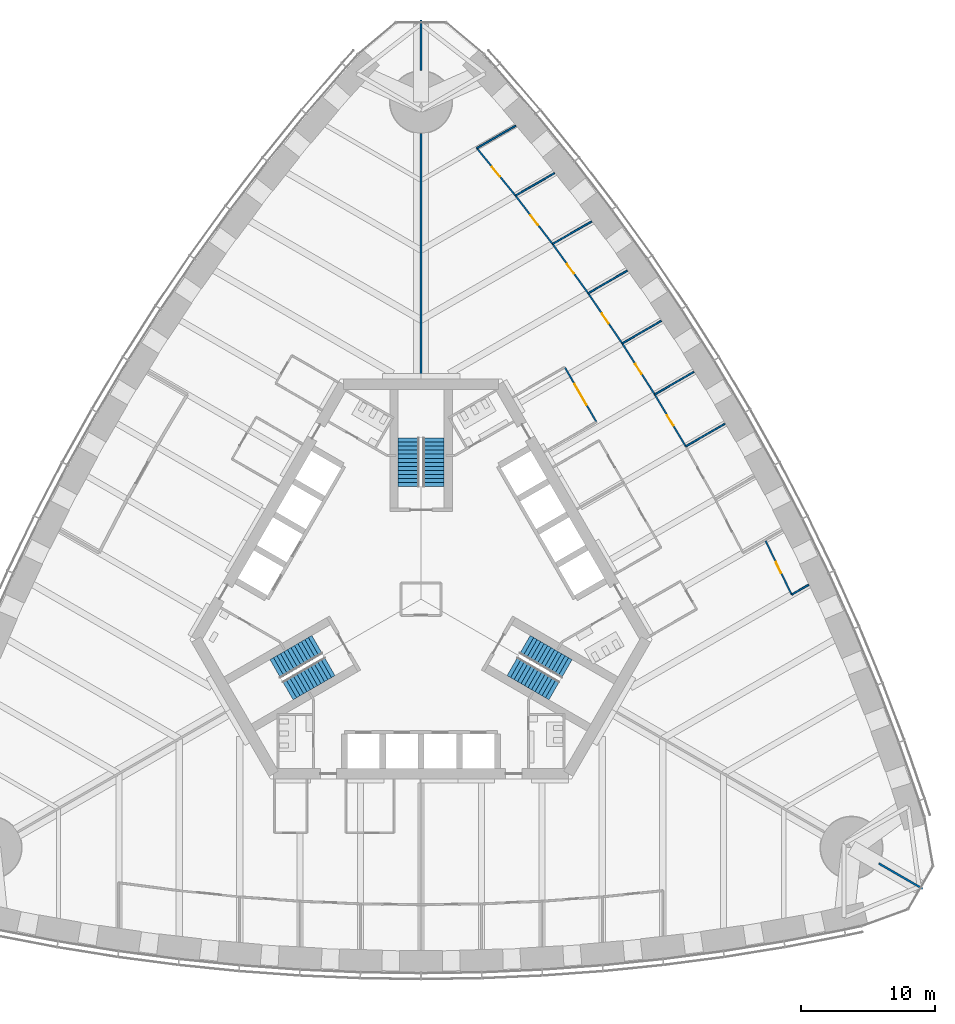
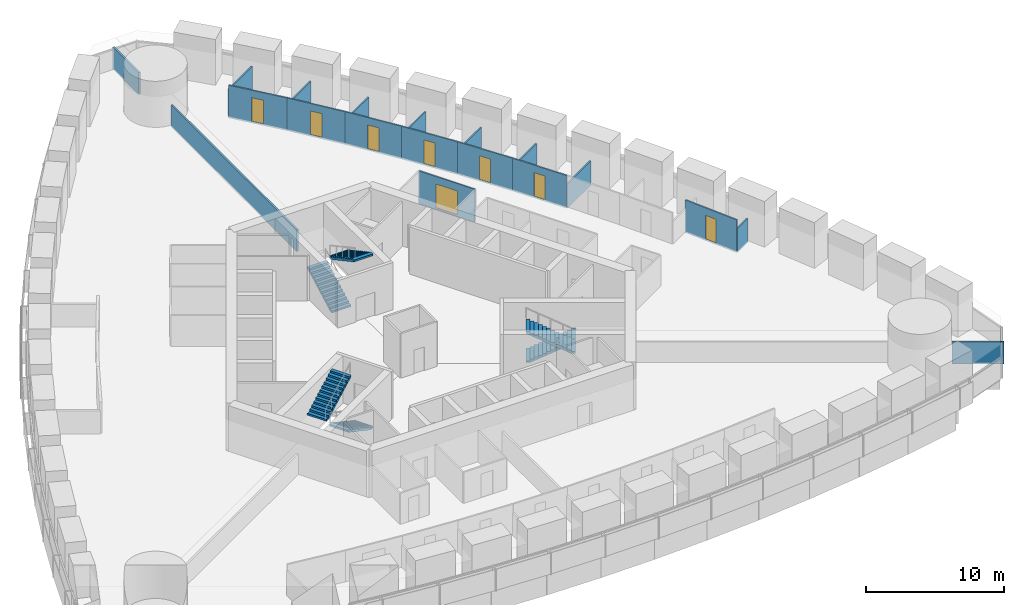
# One storey, part 13 of 18: 19 walls, 8 doors, 6 stair flights, 8 openings, 3 elements without a shape of their own.
"""IFC4 building model written with IfcOpenShell, lengths in metres."""

from ifc_helpers import new_model, si_unit, direction, frame, frame_2d, origin, place, context, subcontext, project, spatial, polyline, rectangle, outline, extrude, material, layer, layer_set, type_object, element, fill, aggregate, save


model = new_model("IFC4")

# Units and contexts
model_context = context("Model", 3, precision=1e-05, world=origin(), true_north=direction((0.0, 1.0)))
body_context = subcontext(model_context, "Body", "Model", "MODEL_VIEW")
ifc_project = project(units=[si_unit("LENGTHUNIT", "METRE"), si_unit("AREAUNIT", "SQUARE_METRE"), si_unit("VOLUMEUNIT", "CUBIC_METRE"), si_unit("PLANEANGLEUNIT", "RADIAN"), si_unit("MASSUNIT", "GRAM", prefix="KILO")], contexts=[model_context])

# Site, building, storey
site_placement = place(None, origin())
site = spatial("IfcSite", under=ifc_project, at=site_placement, CompositionType="ELEMENT")
building_placement = place(site_placement, origin())
building = spatial("IfcBuilding", under=site, at=building_placement, Name="Trefoil Bronze Tower", CompositionType="ELEMENT")
storey_placement = place(building_placement, frame((0.0, 0.0, 87.89990234375)))
storey = spatial("IfcBuildingStorey", under=building, at=storey_placement, Name="L20", CompositionType="ELEMENT", Elevation=87.89990234375)

# Wall, opening, door
ifc_material_1 = material(Name="Glazed partition", Category="glass")
ifc_layer_1 = layer(ifc_material_1, 0.1201171875)
ifc_layer_set_1 = layer_set([ifc_layer_1], Name="Glazed partition 120")
wall_type_1 = type_object("IfcWallType", Name="Glazed partition 120", PredefinedType="PARTITIONING", material=ifc_layer_set_1)
wall_1_placement = place(storey_placement, frame((13.0517578125, 13.193603515625, 0.0), z_axis=(0.0, 0.0, 1.0), x_axis=(-0.499977259774, 0.866038532462, 0.0)))
wall_1 = element("IfcWall", 1, at=wall_1_placement, inside=storey, type_object=wall_type_1, Name="Partition F2 L20", PredefinedType="PARTITIONING", context=body_context, shape_type="SweptSolid", body=[
    extrude(rectangle(XDim=4.699951171875, YDim=0.1201171875, at=frame_2d((2.35009765625, 0.0))), origin(), (0.0, 0.0, 1.0), 2.900146484375),
])
opening_1_placement = place(wall_1_placement, frame((1.449951171875, 0.0, 0.14990234375)))
opening_1 = element("IfcOpeningElement", 2, at=opening_1_placement, cuts=wall_1, Name="Opening D10", PredefinedType="OPENING", context=body_context, shape_type="SweptSolid", body=[
    extrude(rectangle(XDim=1.800048828125, YDim=2.10009765625, at=frame_2d((0.89990234375, 1.050048828125))), frame((0.0, 0.070068359375, 0.0), z_axis=(0.0, -1.0, 0.0), x_axis=(1.0, 0.0, 0.0)), (0.0, 0.0, 1.0), 0.14013671875),
])
ifc_material_2 = material(Name="Timber door", Category="wood")
door_type_1 = type_object("IfcDoorType", Name="Double door 1800", OperationType="DOUBLE_DOOR_SINGLE_SWING", PredefinedType="DOOR", material=ifc_material_2)
door_1_placement = place(opening_1_placement, origin())
door_1 = element("IfcDoor", 3, at=door_1_placement, inside=storey, type_object=door_type_1, Name="Reception door F2 L20", OperationType="DOUBLE_DOOR_SINGLE_SWING", OverallHeight=2.10009765625, OverallWidth=1.800048828125, PredefinedType="DOOR", context=body_context, shape_type="SweptSolid", body=[
    extrude(rectangle(XDim=1.800048828125, YDim=2.10009765625, at=frame_2d((0.89990234375, 1.050048828125))), frame((0.0, 0.02490234375, 0.0), z_axis=(0.0, -1.0, 0.0), x_axis=(1.0, 0.0, 0.0)), (0.0, 0.0, 1.0), 0.050048828125),
])
fill(opening_1, door_1)

wall_2_placement = place(storey_placement, frame((19.700927734375, 11.374267578125, 0.0), z_axis=(0.0, 0.0, 1.0), x_axis=(-0.512483962191, 0.858696796604, 0.0)))
wall_2 = element("IfcWall", 4, at=wall_2_placement, inside=storey, type_object=wall_type_1, Name="Partition F2 L20", PredefinedType="PARTITIONING", context=body_context, shape_type="SweptSolid", body=[
    extrude(rectangle(XDim=4.50048828125, YDim=0.1201171875, at=frame_2d((2.250244140625, 0.0))), origin(), (0.0, 0.0, 1.0), 2.900146484375),
])
opening_2_placement = place(wall_2_placement, frame((1.800048828125, 0.0, 0.14990234375)))
opening_2 = element("IfcOpeningElement", 5, at=opening_2_placement, cuts=wall_2, Name="Opening D8", PredefinedType="OPENING", context=body_context, shape_type="SweptSolid", body=[
    extrude(rectangle(XDim=0.89990234375, YDim=2.10009765625, at=frame_2d((0.449951171875, 1.050048828125))), frame((0.0, 0.070068359375, 0.0), z_axis=(0.0, -1.0, 0.0), x_axis=(1.0, 0.0, 0.0)), (0.0, 0.0, 1.0), 0.14013671875),
])
ifc_material_3 = material(Name="Timber door", Category="wood")
door_type_2 = type_object("IfcDoorType", Name="Office door 900", OperationType="SINGLE_SWING_LEFT", PredefinedType="DOOR", material=ifc_material_3)
door_2_placement = place(opening_2_placement, frame((0.89990234375, 0.0, 0.0), z_axis=(0.0, 0.0, 1.0), x_axis=(-1.0, 0.0, 0.0)))
door_2 = element("IfcDoor", 6, at=door_2_placement, inside=storey, type_object=door_type_2, Name="Office door F2 L20", OperationType="SINGLE_SWING_RIGHT", OverallHeight=2.10009765625, OverallWidth=0.89990234375, PredefinedType="DOOR", context=body_context, shape_type="SweptSolid", body=[
    extrude(rectangle(XDim=0.89990234375, YDim=2.10009765625, at=frame_2d((0.449951171875, 1.050048828125))), frame((0.0, 0.02490234375, 0.0), z_axis=(0.0, -1.0, 0.0), x_axis=(1.0, 0.0, 0.0)), (0.0, 0.0, 1.0), 0.050048828125),
])
fill(opening_2, door_2)

wall_3_placement = place(storey_placement, frame((12.441162109375, 22.771240234375, 0.0), z_axis=(0.0, 0.0, 1.0), x_axis=(-0.585376255171, 0.810761765183, 0.0)))
wall_3 = element("IfcWall", 7, at=wall_3_placement, inside=storey, type_object=wall_type_1, Name="Partition F2 L20", PredefinedType="PARTITIONING", context=body_context, shape_type="SweptSolid", body=[
    extrude(rectangle(XDim=4.5234375, YDim=0.1201171875, at=frame_2d((2.26171875, 0.0))), origin(), (0.0, 0.0, 1.0), 2.900146484375),
])
opening_3_placement = place(wall_3_placement, frame((1.800048828125, 0.0, 0.14990234375)))
opening_3 = element("IfcOpeningElement", 8, at=opening_3_placement, cuts=wall_3, Name="Opening D8", PredefinedType="OPENING", context=body_context, shape_type="SweptSolid", body=[
    extrude(rectangle(XDim=0.89990234375, YDim=2.10009765625, at=frame_2d((0.449951171875, 1.050048828125))), frame((0.0, 0.070068359375, 0.0), z_axis=(0.0, -1.0, 0.0), x_axis=(1.0, 0.0, 0.0)), (0.0, 0.0, 1.0), 0.14013671875),
])
door_3_placement = place(opening_3_placement, frame((0.89990234375, 0.0, 0.0), z_axis=(0.0, 0.0, 1.0), x_axis=(-1.0, 0.0, 0.0)))
door_3 = element("IfcDoor", 9, at=door_3_placement, inside=storey, type_object=door_type_2, Name="Office door F2 L20", OperationType="SINGLE_SWING_RIGHT", OverallHeight=2.10009765625, OverallWidth=0.89990234375, PredefinedType="DOOR", context=body_context, shape_type="SweptSolid", body=[
    extrude(rectangle(XDim=0.89990234375, YDim=2.10009765625, at=frame_2d((0.449951171875, 1.050048828125))), frame((0.0, 0.02490234375, 0.0), z_axis=(0.0, -1.0, 0.0), x_axis=(1.0, 0.0, 0.0)), (0.0, 0.0, 1.0), 0.050048828125),
])
fill(opening_3, door_3)

wall_4_placement = place(storey_placement, frame((9.793212890625, 26.438720703125, 0.0), z_axis=(0.0, 0.0, 1.0), x_axis=(-0.608784932975, 0.79333530451, 0.0)))
wall_4 = element("IfcWall", 10, at=wall_4_placement, inside=storey, type_object=wall_type_1, Name="Partition F2 L20", PredefinedType="PARTITIONING", context=body_context, shape_type="SweptSolid", body=[
    extrude(rectangle(XDim=4.538818359375, YDim=0.1201171875, at=frame_2d((2.26953125, 0.0))), origin(), (0.0, 0.0, 1.0), 2.900146484375),
])
opening_4_placement = place(wall_4_placement, frame((1.800048828125, 0.0, 0.14990234375)))
opening_4 = element("IfcOpeningElement", 11, at=opening_4_placement, cuts=wall_4, Name="Opening D8", PredefinedType="OPENING", context=body_context, shape_type="SweptSolid", body=[
    extrude(rectangle(XDim=0.89990234375, YDim=2.10009765625, at=frame_2d((0.449951171875, 1.050048828125))), frame((0.0, 0.070068359375, 0.0), z_axis=(0.0, -1.0, 0.0), x_axis=(1.0, 0.0, 0.0)), (0.0, 0.0, 1.0), 0.14013671875),
])
door_4_placement = place(opening_4_placement, frame((0.89990234375, 0.0, 0.0), z_axis=(0.0, 0.0, 1.0), x_axis=(-1.0, 0.0, 0.0)))
door_4 = element("IfcDoor", 12, at=door_4_placement, inside=storey, type_object=door_type_2, Name="Office door F2 L20", OperationType="SINGLE_SWING_RIGHT", OverallHeight=2.10009765625, OverallWidth=0.89990234375, PredefinedType="DOOR", context=body_context, shape_type="SweptSolid", body=[
    extrude(rectangle(XDim=0.89990234375, YDim=2.10009765625, at=frame_2d((0.449951171875, 1.050048828125))), frame((0.0, 0.02490234375, 0.0), z_axis=(0.0, -1.0, 0.0), x_axis=(1.0, 0.0, 0.0)), (0.0, 0.0, 1.0), 0.050048828125),
])
fill(opening_4, door_4)

wall_5_placement = place(storey_placement, frame((7.030029296875, 30.03955078125, 0.0), z_axis=(0.0, 0.0, 1.0), x_axis=(-0.631833879056, 0.775103831288, 0.0)))
wall_5 = element("IfcWall", 13, at=wall_5_placement, inside=storey, type_object=wall_type_1, Name="Partition F2 L20", PredefinedType="PARTITIONING", context=body_context, shape_type="SweptSolid", body=[
    extrude(rectangle(XDim=4.558349609375, YDim=0.1201171875, at=frame_2d((2.279296875, 0.0))), origin(), (0.0, 0.0, 1.0), 2.900146484375),
])
opening_5_placement = place(wall_5_placement, frame((1.85009765625, 0.0, 0.14990234375)))
opening_5 = element("IfcOpeningElement", 14, at=opening_5_placement, cuts=wall_5, Name="Opening D8", PredefinedType="OPENING", context=body_context, shape_type="SweptSolid", body=[
    extrude(rectangle(XDim=0.89990234375, YDim=2.10009765625, at=frame_2d((0.449951171875, 1.050048828125))), frame((0.0, 0.070068359375, 0.0), z_axis=(0.0, -1.0, 0.0), x_axis=(1.0, 0.0, 0.0)), (0.0, 0.0, 1.0), 0.14013671875),
])
door_5_placement = place(opening_5_placement, frame((0.89990234375, 0.0, 0.0), z_axis=(0.0, 0.0, 1.0), x_axis=(-1.0, 0.0, 0.0)))
door_5 = element("IfcDoor", 15, at=door_5_placement, inside=storey, type_object=door_type_2, Name="Office door F2 L20", OperationType="SINGLE_SWING_LEFT", OverallHeight=2.10009765625, OverallWidth=0.89990234375, PredefinedType="DOOR", context=body_context, shape_type="SweptSolid", body=[
    extrude(rectangle(XDim=0.89990234375, YDim=2.10009765625, at=frame_2d((0.449951171875, 1.050048828125))), frame((0.0, 0.02490234375, 0.0), z_axis=(0.0, -1.0, 0.0), x_axis=(1.0, 0.0, 0.0)), (0.0, 0.0, 1.0), 0.050048828125),
])
fill(opening_5, door_5)

wall_6_placement = place(storey_placement, frame((17.39453125, 15.23876953125, 0.0), z_axis=(0.0, 0.0, 1.0), x_axis=(-0.537243691336, 0.843427066272, 0.0)))
wall_6 = element("IfcWall", 16, at=wall_6_placement, inside=storey, type_object=wall_type_1, Name="Partition F2 L20", PredefinedType="PARTITIONING", context=body_context, shape_type="SweptSolid", body=[
    extrude(rectangle(XDim=4.50439453125, YDim=0.1201171875, at=frame_2d((2.252197265625, 0.0))), origin(), (0.0, 0.0, 1.0), 2.900146484375),
])
opening_6_placement = place(wall_6_placement, frame((1.800048828125, 0.0, 0.14990234375)))
opening_6 = element("IfcOpeningElement", 17, at=opening_6_placement, cuts=wall_6, Name="Opening D8", PredefinedType="OPENING", context=body_context, shape_type="SweptSolid", body=[
    extrude(rectangle(XDim=0.89990234375, YDim=2.10009765625, at=frame_2d((0.449951171875, 1.050048828125))), frame((0.0, 0.070068359375, 0.0), z_axis=(0.0, -1.0, 0.0), x_axis=(1.0, 0.0, 0.0)), (0.0, 0.0, 1.0), 0.14013671875),
])
door_6_placement = place(opening_6_placement, frame((0.89990234375, 0.0, 0.0), z_axis=(0.0, 0.0, 1.0), x_axis=(-1.0, 0.0, 0.0)))
door_6 = element("IfcDoor", 18, at=door_6_placement, inside=storey, type_object=door_type_2, Name="Office door F2 L20", OperationType="SINGLE_SWING_RIGHT", OverallHeight=2.10009765625, OverallWidth=0.89990234375, PredefinedType="DOOR", context=body_context, shape_type="SweptSolid", body=[
    extrude(rectangle(XDim=0.89990234375, YDim=2.10009765625, at=frame_2d((0.449951171875, 1.050048828125))), frame((0.0, 0.02490234375, 0.0), z_axis=(0.0, -1.0, 0.0), x_axis=(1.0, 0.0, 0.0)), (0.0, 0.0, 1.0), 0.050048828125),
])
fill(opening_6, door_6)

wall_7_placement = place(storey_placement, frame((14.974609375, 19.037841796875, 0.0), z_axis=(0.0, 0.0, 1.0), x_axis=(-0.561512004239, 0.827468591002, 0.0)))
wall_7 = element("IfcWall", 19, at=wall_7_placement, inside=storey, type_object=wall_type_1, Name="Partition F2 L20", PredefinedType="PARTITIONING", context=body_context, shape_type="SweptSolid", body=[
    extrude(rectangle(XDim=4.51171875, YDim=0.1201171875, at=frame_2d((2.255859375, 0.0))), origin(), (0.0, 0.0, 1.0), 2.900146484375),
])
opening_7_placement = place(wall_7_placement, frame((1.800048828125, 0.0, 0.14990234375)))
opening_7 = element("IfcOpeningElement", 20, at=opening_7_placement, cuts=wall_7, Name="Opening D8", PredefinedType="OPENING", context=body_context, shape_type="SweptSolid", body=[
    extrude(rectangle(XDim=0.89990234375, YDim=2.10009765625, at=frame_2d((0.449951171875, 1.050048828125))), frame((0.0, 0.070068359375, 0.0), z_axis=(0.0, -1.0, 0.0), x_axis=(1.0, 0.0, 0.0)), (0.0, 0.0, 1.0), 0.14013671875),
])
door_7_placement = place(opening_7_placement, frame((0.89990234375, 0.0, 0.0), z_axis=(0.0, 0.0, 1.0), x_axis=(-1.0, 0.0, 0.0)))
door_7 = element("IfcDoor", 21, at=door_7_placement, inside=storey, type_object=door_type_2, Name="Office door F2 L20", OperationType="SINGLE_SWING_RIGHT", OverallHeight=2.10009765625, OverallWidth=0.89990234375, PredefinedType="DOOR", context=body_context, shape_type="SweptSolid", body=[
    extrude(rectangle(XDim=0.89990234375, YDim=2.10009765625, at=frame_2d((0.449951171875, 1.050048828125))), frame((0.0, 0.02490234375, 0.0), z_axis=(0.0, -1.0, 0.0), x_axis=(1.0, 0.0, 0.0)), (0.0, 0.0, 1.0), 0.050048828125),
])
fill(opening_7, door_7)

wall_8_placement = place(storey_placement, frame((27.586669921875, 0.338623046875, 0.0), z_axis=(0.0, 0.0, 1.0), x_axis=(-0.435857917556, 0.900015486369, 0.0)))
wall_8 = element("IfcWall", 22, at=wall_8_placement, inside=storey, type_object=wall_type_1, Name="Partition F2 L20", PredefinedType="PARTITIONING", context=body_context, shape_type="SweptSolid", body=[
    extrude(rectangle(XDim=4.511962890625, YDim=0.1201171875, at=frame_2d((2.255859375, 0.0))), origin(), (0.0, 0.0, 1.0), 2.900146484375),
])
opening_8_placement = place(wall_8_placement, frame((1.800048828125, 0.0, 0.14990234375)))
opening_8 = element("IfcOpeningElement", 23, at=opening_8_placement, cuts=wall_8, Name="Opening D8", PredefinedType="OPENING", context=body_context, shape_type="SweptSolid", body=[
    extrude(rectangle(XDim=0.89990234375, YDim=2.10009765625, at=frame_2d((0.449951171875, 1.050048828125))), frame((0.0, 0.070068359375, 0.0), z_axis=(0.0, -1.0, 0.0), x_axis=(1.0, 0.0, 0.0)), (0.0, 0.0, 1.0), 0.14013671875),
])
door_8_placement = place(opening_8_placement, frame((0.89990234375, 0.0, 0.0), z_axis=(0.0, 0.0, 1.0), x_axis=(-1.0, 0.0, 0.0)))
door_8 = element("IfcDoor", 24, at=door_8_placement, inside=storey, type_object=door_type_2, Name="Comms room door F2 L20", OperationType="SINGLE_SWING_RIGHT", OverallHeight=2.10009765625, OverallWidth=0.89990234375, PredefinedType="DOOR", context=body_context, shape_type="SweptSolid", body=[
    extrude(rectangle(XDim=0.89990234375, YDim=2.10009765625, at=frame_2d((0.449951171875, 1.050048828125))), frame((0.0, 0.02490234375, 0.0), z_axis=(0.0, -1.0, 0.0), x_axis=(1.0, 0.0, 0.0)), (0.0, 0.0, 1.0), 0.050048828125),
])
fill(opening_8, door_8)

# Walls
wall_9_placement = place(storey_placement, frame((19.700927734375, 11.374267578125, 0.0), z_axis=(0.0, 0.0, 1.0), x_axis=(0.866014270972, 0.500019282102, 0.0)))
element("IfcWall", 25, at=wall_9_placement, inside=storey, type_object=wall_type_1, Name="Partition F2 L20", PredefinedType="PARTITIONING", context=body_context, shape_type="SweptSolid", body=[
    extrude(rectangle(XDim=3.369873046875, YDim=0.1201171875, at=frame_2d((1.68505859375, 0.0))), origin(), (0.0, 0.0, 1.0), 2.150146484375),
])
wall_10_placement = place(storey_placement, frame((12.441162109375, 22.771240234375, 0.0), z_axis=(0.0, 0.0, 1.0), x_axis=(0.865992196602, 0.500057512117, 0.0)))
element("IfcWall", 26, at=wall_10_placement, inside=storey, type_object=wall_type_1, Name="Partition F2 L20", PredefinedType="PARTITIONING", context=body_context, shape_type="SweptSolid", body=[
    extrude(rectangle(XDim=3.36376953125, YDim=0.1201171875, at=frame_2d((1.681884765625, 0.0))), origin(), (0.0, 0.0, 1.0), 2.150146484375),
])
wall_11_placement = place(storey_placement, frame((9.793212890625, 26.438720703125, 0.0), z_axis=(0.0, 0.0, 1.0), x_axis=(0.866029446706, 0.499992997389, 0.0)))
element("IfcWall", 27, at=wall_11_placement, inside=storey, type_object=wall_type_1, Name="Partition F2 L20", PredefinedType="PARTITIONING", context=body_context, shape_type="SweptSolid", body=[
    extrude(rectangle(XDim=3.35888671875, YDim=0.1201171875, at=frame_2d((1.679443359375, 0.0))), origin(), (0.0, 0.0, 1.0), 2.150146484375),
])
wall_12_placement = place(storey_placement, frame((7.030029296875, 30.03955078125, 0.0), z_axis=(0.0, 0.0, 1.0), x_axis=(0.866038859646, 0.49997669304, 0.0)))
element("IfcWall", 28, at=wall_12_placement, inside=storey, type_object=wall_type_1, Name="Partition F2 L20", PredefinedType="PARTITIONING", context=body_context, shape_type="SweptSolid", body=[
    extrude(rectangle(XDim=3.352783203125, YDim=0.1201171875, at=frame_2d((1.67626953125, 0.0))), origin(), (0.0, 0.0, 1.0), 2.35009765625),
])
wall_13_placement = place(storey_placement, frame((4.14990234375, 33.57275390625, 0.0), z_axis=(0.0, 0.0, 1.0), x_axis=(0.866002045187, 0.500040456096, 0.0)))
element("IfcWall", 29, at=wall_13_placement, inside=storey, type_object=wall_type_1, Name="Partition F2 L20", PredefinedType="PARTITIONING", context=body_context, shape_type="SweptSolid", body=[
    extrude(rectangle(XDim=3.344970703125, YDim=0.1201171875, at=frame_2d((1.67236328125, 0.0))), origin(), (0.0, 0.0, 1.0), 2.550048828125),
])
wall_14_placement = place(storey_placement, frame((17.39453125, 15.23876953125, 0.0), z_axis=(0.0, 0.0, 1.0), x_axis=(0.865991297194, 0.500059069696, 0.0)))
element("IfcWall", 30, at=wall_14_placement, inside=storey, type_object=wall_type_1, Name="Partition F2 L20", PredefinedType="PARTITIONING", context=body_context, shape_type="SweptSolid", body=[
    extrude(rectangle(XDim=3.369140625, YDim=0.1201171875, at=frame_2d((1.6845703125, 0.0))), origin(), (0.0, 0.0, 1.0), 2.150146484375),
])
wall_15_placement = place(storey_placement, frame((14.974609375, 19.037841796875, 0.0), z_axis=(0.0, 0.0, 1.0), x_axis=(0.866039498442, 0.499975586543, 0.0)))
element("IfcWall", 31, at=wall_15_placement, inside=storey, type_object=wall_type_1, Name="Partition F2 L20", PredefinedType="PARTITIONING", context=body_context, shape_type="SweptSolid", body=[
    extrude(rectangle(XDim=3.367431640625, YDim=0.1201171875, at=frame_2d((1.68359375, 0.0))), origin(), (0.0, 0.0, 1.0), 2.150146484375),
])
wall_16_placement = place(storey_placement, frame((27.586669921875, 0.338623046875, 0.0), z_axis=(0.0, 0.0, 1.0), x_axis=(0.865996700326, 0.500049712553, 0.0)))
element("IfcWall", 32, at=wall_16_placement, inside=storey, type_object=wall_type_1, Name="Partition F2 L20", PredefinedType="PARTITIONING", context=body_context, shape_type="SweptSolid", body=[
    extrude(rectangle(XDim=1.463623046875, YDim=0.1201171875, at=frame_2d((0.73193359375, 0.0))), origin(), (0.0, 0.0, 1.0), 2.150146484375),
])
ifc_material_4 = material(Name="Gypsum board on steel studs", Category="steel")
ifc_layer_2 = layer(ifc_material_4, 0.14990234375)
ifc_layer_set_2 = layer_set([ifc_layer_2], Name="Party wall 150")
wall_type_2 = type_object("IfcWallType", Name="Party wall 150", PredefinedType="PARTITIONING", material=ifc_layer_set_2)
wall_17_placement = place(storey_placement, frame((34.078125, -19.675048828125, 0.0), z_axis=(0.0, 0.0, 1.0), x_axis=(0.866019247219, -0.500010663332, 0.0)))
element("IfcWall", 33, at=wall_17_placement, inside=storey, type_object=wall_type_2, Name="Party wall K1 L20", PredefinedType="PARTITIONING", context=body_context, shape_type="SweptSolid", body=[
    extrude(rectangle(XDim=3.76416015625, YDim=0.14990234375, at=frame_2d((1.882080078125, 0.0))), origin(), (0.0, 0.0, 1.0), 1.9501953125),
])
wall_18_placement = place(storey_placement, frame((0.0, 16.39990234375, 0.0), z_axis=(0.0, 0.0, 1.0), x_axis=(0.0, 1.0, 0.0)))
element("IfcWall", 34, at=wall_18_placement, inside=storey, type_object=wall_type_2, Name="Party wall K2 L20", PredefinedType="PARTITIONING", context=body_context, shape_type="SweptSolid", body=[
    extrude(rectangle(XDim=18.25, YDim=0.14990234375, at=frame_2d((9.125, 0.0))), origin(), (0.0, 0.0, 1.0), 1.9501953125),
])
wall_19_placement = place(storey_placement, frame((0.0, 39.35009765625, 0.0), z_axis=(0.0, 0.0, 1.0), x_axis=(0.0, 1.0, 0.0)))
element("IfcWall", 35, at=wall_19_placement, inside=storey, type_object=wall_type_2, Name="Party wall K2 L20", PredefinedType="PARTITIONING", context=body_context, shape_type="SweptSolid", body=[
    extrude(rectangle(XDim=3.763916015625, YDim=0.14990234375, at=frame_2d((1.8818359375, 0.0))), origin(), (0.0, 0.0, 1.0), 1.9501953125),
])

# Stair, stair flights
ifc_material_5 = material(Name="Precast concrete B80", Category="concrete")
stair_type = type_object("IfcStairType", Name="Exit stair 26 risers", PredefinedType="HALF_TURN_STAIR", material=ifc_material_5)
stair_1_placement = place(storey_placement, origin())
stair_1 = element("IfcStair", 36, at=stair_1_placement, inside=storey, type_object=stair_type, Name="Stair ST1 L20", PredefinedType="HALF_TURN_STAIR")
ifc_material_6 = material(Name="Precast concrete B80", Category="concrete")
stair_flight_type = type_object("IfcStairFlightType", Name="Stair flight 1600", PredefinedType="STRAIGHT", material=ifc_material_6)
stair_flight_1_placement = place(storey_placement, frame((7.728515625, -3.39404296875, 0.0), z_axis=(0.0, 0.0, 1.0), x_axis=(0.866025403784, -0.5, 0.0)))
stair_flight_1 = element("IfcStairFlight", 37, at=stair_flight_1_placement, type_object=stair_flight_type, Name="ST1 flight 1", NumberOfRisers=13, NumberOfTreads=12, PredefinedType="STRAIGHT", RiserHeight=0.161538462, TreadLength=0.3, context=body_context, shape_type="SweptSolid", body=[
    extrude(outline(polyline([(0.0, 0.0), (0.0, 0.16162109375), (0.300048828125, 0.16162109375), (0.300048828125, 0.322998046875), (0.60009765625, 0.322998046875), (0.60009765625, 0.484619140625), (0.89990234375, 0.484619140625), (0.89990234375, 0.646240234375), (1.199951171875, 0.646240234375), (1.199951171875, 0.8076171875), (1.5, 0.8076171875), (1.5, 0.96923828125), (1.800048828125, 0.96923828125), (1.800048828125, 1.130859375), (2.10009765625, 1.130859375), (2.10009765625, 1.292236328125), (2.39990234375, 1.292236328125), (2.39990234375, 1.453857421875), (2.699951171875, 1.453857421875), (2.699951171875, 1.615478515625), (3.0, 1.615478515625), (3.0, 1.77685546875), (3.300048828125, 1.77685546875), (3.300048828125, 1.9384765625), (3.60009765625, 1.9384765625), (3.60009765625, 2.10009765625), (3.60009765625, 1.768310546875), (0.316162109375, 0.0), (0.0, 0.0)])), frame((0.0, 0.800048828125, 0.0), z_axis=(0.0, -1.0, 0.0), x_axis=(1.0, 0.0, 0.0)), (0.0, 0.0, 1.0), 1.60009765625),
])
stair_flight_2_placement = place(storey_placement, frame((9.921142578125, -6.796142578125, 2.10009765625), z_axis=(0.0, 0.0, 1.0), x_axis=(-0.866025403784, 0.5, 0.0)))
stair_flight_2 = element("IfcStairFlight", 38, at=stair_flight_2_placement, type_object=stair_flight_type, Name="ST1 flight 2", NumberOfRisers=13, NumberOfTreads=12, PredefinedType="STRAIGHT", RiserHeight=0.161538462, TreadLength=0.3, context=body_context, shape_type="SweptSolid", body=[
    extrude(outline(polyline([(0.0, 0.0), (0.0, 0.16162109375), (0.300048828125, 0.16162109375), (0.300048828125, 0.322998046875), (0.60009765625, 0.322998046875), (0.60009765625, 0.484619140625), (0.89990234375, 0.484619140625), (0.89990234375, 0.646240234375), (1.199951171875, 0.646240234375), (1.199951171875, 0.8076171875), (1.5, 0.8076171875), (1.5, 0.96923828125), (1.800048828125, 0.96923828125), (1.800048828125, 1.130859375), (2.10009765625, 1.130859375), (2.10009765625, 1.292236328125), (2.39990234375, 1.292236328125), (2.39990234375, 1.453857421875), (2.699951171875, 1.453857421875), (2.699951171875, 1.615478515625), (3.0, 1.615478515625), (3.0, 1.77685546875), (3.300048828125, 1.77685546875), (3.300048828125, 1.9384765625), (3.60009765625, 1.9384765625), (3.60009765625, 2.10009765625), (3.60009765625, 1.768310546875), (0.316162109375, 0.0), (0.0, 0.0)])), frame((0.0, 0.800048828125, 0.0), z_axis=(0.0, -1.0, 0.0), x_axis=(1.0, 0.0, 0.0)), (0.0, 0.0, 1.0), 1.60009765625),
])
aggregate(stair_1, [stair_flight_1, stair_flight_2])

stair_2_placement = place(storey_placement, origin())
stair_2 = element("IfcStair", 39, at=stair_2_placement, inside=storey, type_object=stair_type, Name="Stair ST2 L20", PredefinedType="HALF_TURN_STAIR")
stair_flight_3_placement = place(storey_placement, frame((-0.925048828125, 8.389892578125, 0.0), z_axis=(0.0, 0.0, 1.0), x_axis=(0.0, 1.0, 0.0)))
stair_flight_3 = element("IfcStairFlight", 40, at=stair_flight_3_placement, type_object=stair_flight_type, Name="ST2 flight 1", NumberOfRisers=13, NumberOfTreads=12, PredefinedType="STRAIGHT", RiserHeight=0.161538462, TreadLength=0.3, context=body_context, shape_type="SweptSolid", body=[
    extrude(outline(polyline([(0.0, 0.0), (0.0, 0.16162109375), (0.300048828125, 0.16162109375), (0.300048828125, 0.322998046875), (0.60009765625, 0.322998046875), (0.60009765625, 0.484619140625), (0.89990234375, 0.484619140625), (0.89990234375, 0.646240234375), (1.199951171875, 0.646240234375), (1.199951171875, 0.8076171875), (1.5, 0.8076171875), (1.5, 0.96923828125), (1.800048828125, 0.96923828125), (1.800048828125, 1.130859375), (2.10009765625, 1.130859375), (2.10009765625, 1.292236328125), (2.39990234375, 1.292236328125), (2.39990234375, 1.453857421875), (2.699951171875, 1.453857421875), (2.699951171875, 1.615478515625), (3.0, 1.615478515625), (3.0, 1.77685546875), (3.300048828125, 1.77685546875), (3.300048828125, 1.9384765625), (3.60009765625, 1.9384765625), (3.60009765625, 2.10009765625), (3.60009765625, 1.768310546875), (0.316162109375, 0.0), (0.0, 0.0)])), frame((0.0, 0.800048828125, 0.0), z_axis=(0.0, -1.0, 0.0), x_axis=(1.0, 0.0, 0.0)), (0.0, 0.0, 1.0), 1.60009765625),
])
stair_flight_4_placement = place(storey_placement, frame((0.925048828125, 11.989990234375, 2.10009765625), z_axis=(0.0, 0.0, 1.0), x_axis=(0.0, -1.0, 0.0)))
stair_flight_4 = element("IfcStairFlight", 41, at=stair_flight_4_placement, type_object=stair_flight_type, Name="ST2 flight 2", NumberOfRisers=13, NumberOfTreads=12, PredefinedType="STRAIGHT", RiserHeight=0.161538462, TreadLength=0.3, context=body_context, shape_type="SweptSolid", body=[
    extrude(outline(polyline([(0.0, 0.0), (0.0, 0.16162109375), (0.300048828125, 0.16162109375), (0.300048828125, 0.322998046875), (0.60009765625, 0.322998046875), (0.60009765625, 0.484619140625), (0.89990234375, 0.484619140625), (0.89990234375, 0.646240234375), (1.199951171875, 0.646240234375), (1.199951171875, 0.8076171875), (1.5, 0.8076171875), (1.5, 0.96923828125), (1.800048828125, 0.96923828125), (1.800048828125, 1.130859375), (2.10009765625, 1.130859375), (2.10009765625, 1.292236328125), (2.39990234375, 1.292236328125), (2.39990234375, 1.453857421875), (2.699951171875, 1.453857421875), (2.699951171875, 1.615478515625), (3.0, 1.615478515625), (3.0, 1.77685546875), (3.300048828125, 1.77685546875), (3.300048828125, 1.9384765625), (3.60009765625, 1.9384765625), (3.60009765625, 2.10009765625), (3.60009765625, 1.768310546875), (0.316162109375, 0.0), (0.0, 0.0)])), frame((0.0, 0.800048828125, 0.0), z_axis=(0.0, -1.0, 0.0), x_axis=(1.0, 0.0, 0.0)), (0.0, 0.0, 1.0), 1.60009765625),
])
aggregate(stair_2, [stair_flight_3, stair_flight_4])

stair_3_placement = place(storey_placement, origin())
stair_3 = element("IfcStair", 42, at=stair_3_placement, inside=storey, type_object=stair_type, Name="Stair ST3 L20", PredefinedType="HALF_TURN_STAIR")
stair_flight_5_placement = place(storey_placement, frame((-6.803466796875, -4.99609375, 0.0), z_axis=(0.0, 0.0, 1.0), x_axis=(-0.866025403784, -0.5, 0.0)))
stair_flight_5 = element("IfcStairFlight", 43, at=stair_flight_5_placement, type_object=stair_flight_type, Name="ST3 flight 1", NumberOfRisers=13, NumberOfTreads=12, PredefinedType="STRAIGHT", RiserHeight=0.161538462, TreadLength=0.3, context=body_context, shape_type="SweptSolid", body=[
    extrude(outline(polyline([(0.0, 0.0), (0.0, 0.16162109375), (0.300048828125, 0.16162109375), (0.300048828125, 0.322998046875), (0.60009765625, 0.322998046875), (0.60009765625, 0.484619140625), (0.89990234375, 0.484619140625), (0.89990234375, 0.646240234375), (1.199951171875, 0.646240234375), (1.199951171875, 0.8076171875), (1.5, 0.8076171875), (1.5, 0.96923828125), (1.800048828125, 0.96923828125), (1.800048828125, 1.130859375), (2.10009765625, 1.130859375), (2.10009765625, 1.292236328125), (2.39990234375, 1.292236328125), (2.39990234375, 1.453857421875), (2.699951171875, 1.453857421875), (2.699951171875, 1.615478515625), (3.0, 1.615478515625), (3.0, 1.77685546875), (3.300048828125, 1.77685546875), (3.300048828125, 1.9384765625), (3.60009765625, 1.9384765625), (3.60009765625, 2.10009765625), (3.60009765625, 1.768310546875), (0.316162109375, 0.0), (0.0, 0.0)])), frame((0.0, 0.800048828125, 0.0), z_axis=(0.0, -1.0, 0.0), x_axis=(1.0, 0.0, 0.0)), (0.0, 0.0, 1.0), 1.60009765625),
])
stair_flight_6_placement = place(storey_placement, frame((-10.84619140625, -5.19384765625, 2.10009765625), z_axis=(0.0, 0.0, 1.0), x_axis=(0.866025403784, 0.5, 0.0)))
stair_flight_6 = element("IfcStairFlight", 44, at=stair_flight_6_placement, type_object=stair_flight_type, Name="ST3 flight 2", NumberOfRisers=13, NumberOfTreads=12, PredefinedType="STRAIGHT", RiserHeight=0.161538462, TreadLength=0.3, context=body_context, shape_type="SweptSolid", body=[
    extrude(outline(polyline([(0.0, 0.0), (0.0, 0.16162109375), (0.300048828125, 0.16162109375), (0.300048828125, 0.322998046875), (0.60009765625, 0.322998046875), (0.60009765625, 0.484619140625), (0.89990234375, 0.484619140625), (0.89990234375, 0.646240234375), (1.199951171875, 0.646240234375), (1.199951171875, 0.8076171875), (1.5, 0.8076171875), (1.5, 0.96923828125), (1.800048828125, 0.96923828125), (1.800048828125, 1.130859375), (2.10009765625, 1.130859375), (2.10009765625, 1.292236328125), (2.39990234375, 1.292236328125), (2.39990234375, 1.453857421875), (2.699951171875, 1.453857421875), (2.699951171875, 1.615478515625), (3.0, 1.615478515625), (3.0, 1.77685546875), (3.300048828125, 1.77685546875), (3.300048828125, 1.9384765625), (3.60009765625, 1.9384765625), (3.60009765625, 2.10009765625), (3.60009765625, 1.768310546875), (0.316162109375, 0.0), (0.0, 0.0)])), frame((0.0, 0.800048828125, 0.0), z_axis=(0.0, -1.0, 0.0), x_axis=(1.0, 0.0, 0.0)), (0.0, 0.0, 1.0), 1.60009765625),
])
aggregate(stair_3, [stair_flight_5, stair_flight_6])

save(model, "model.ifc")
